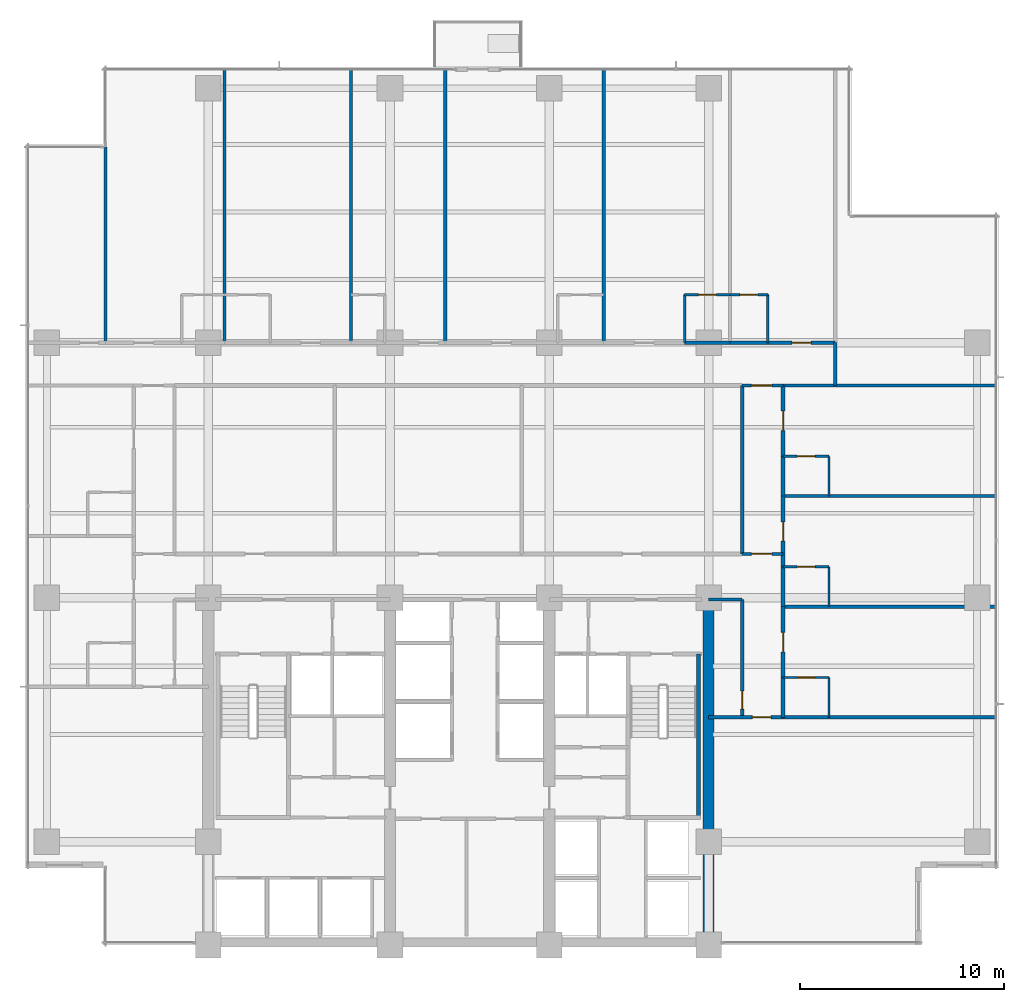
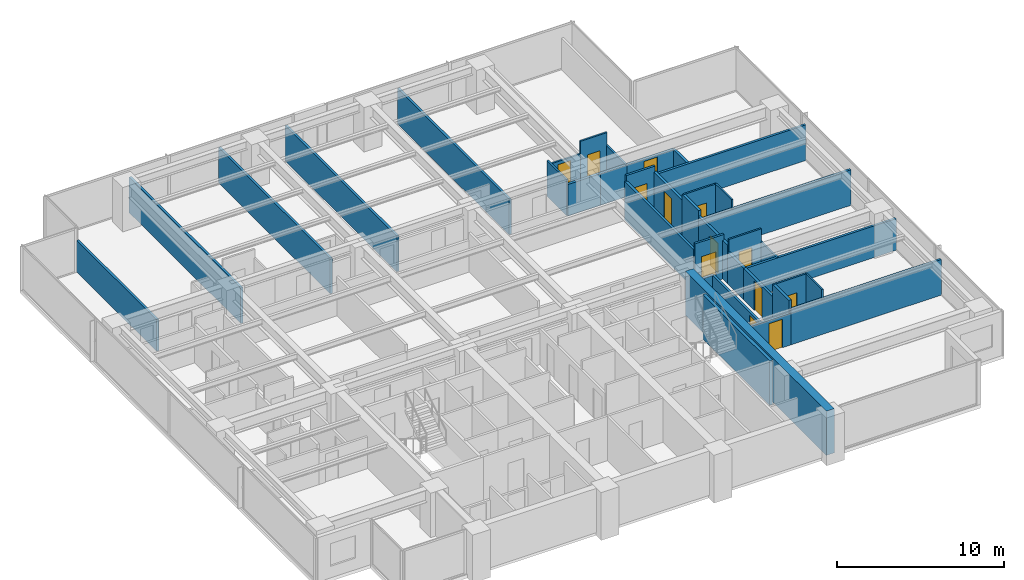
# One storey, part 11 of 17: 37 walls, 13 doors, 13 openings.
"""IFC4 building model written with IfcOpenShell, lengths in metres."""

from ifc_helpers import new_model, si_unit, direction, frame, frame_2d, origin, place, context, subcontext, project, spatial, rectangle, extrude, material, layer, layer_set, type_object, element, fill, save


model = new_model("IFC4")

# Units and contexts
model_context = context("Model", 3, precision=1e-05, world=origin(), true_north=direction((0.0, 1.0)))
body_context = subcontext(model_context, "Body", "Model", "MODEL_VIEW")
ifc_project = project(units=[si_unit("LENGTHUNIT", "METRE"), si_unit("AREAUNIT", "SQUARE_METRE"), si_unit("VOLUMEUNIT", "CUBIC_METRE"), si_unit("PLANEANGLEUNIT", "RADIAN"), si_unit("MASSUNIT", "GRAM", prefix="KILO")], contexts=[model_context])

# Site, building, storey
site_placement = place(None, origin())
site = spatial("IfcSite", under=ifc_project, at=site_placement, CompositionType="ELEMENT")
building_placement = place(site_placement, origin())
building = spatial("IfcBuilding", under=site, at=building_placement, Name="Qalmaran Belvedere Hotel", CompositionType="ELEMENT")
storey_placement = place(building_placement, frame((0.0, 0.0, 109.199951171875)))
storey = spatial("IfcBuildingStorey", under=building, at=storey_placement, Name="L27", CompositionType="ELEMENT", Elevation=109.199951171875)

# Wall
ifc_material_1 = material(Name="Concrete C60/75", Category="concrete")
ifc_layer_1 = layer(ifc_material_1, 0.550048828125, Name="Concrete C60/75")
ifc_layer_set_1 = layer_set([ifc_layer_1], Name="Concrete C60/75")
wall_type_1 = type_object("IfcWallType", Name="WL-CORE-550-C60", PredefinedType="SHEAR", material=ifc_layer_set_1)
wall_1_placement = place(storey_placement, frame((44.800048828125, 3.5, 0.0), z_axis=(0.0, 0.0, 1.0), x_axis=(0.0, 1.0, 0.0)))
element("IfcWall", 1, at=wall_1_placement, inside=storey, type_object=wall_type_1, Name="L27 East Core Shear Wall", PredefinedType="SHEAR", context=body_context, shape_type="SweptSolid", body=[
    extrude(rectangle(XDim=16.89990234375, YDim=0.550048828125, at=frame_2d((8.449951171875, 0.0))), origin(), (0.0, 0.0, 1.0), 3.239990234375),
])

# Wall, opening, door
ifc_material_2 = material(Name="Moisture-Resistant Gypsum")
ifc_layer_2 = layer(ifc_material_2, 0.1201171875, Name="Moisture-Resistant Gypsum")
ifc_layer_set_2 = layer_set([ifc_layer_2], Name="Moisture-Resistant Gypsum")
wall_type_2 = type_object("IfcWallType", Name="WL-INT-120-BATH", PredefinedType="PARTITIONING", material=ifc_layer_set_2)
wall_2_placement = place(storey_placement, frame((43.62451171875, 35.35009765625, 0.0), z_axis=(0.0, 0.0, 1.0), x_axis=(1.0, 0.0, 0.0)))
wall_2 = element("IfcWall", 2, at=wall_2_placement, inside=storey, type_object=wall_type_2, Name="L27 Partition WL-L27-NBN04", PredefinedType="PARTITIONING", context=body_context, shape_type="SweptSolid", body=[
    extrude(rectangle(XDim=2.22998046875, YDim=0.1201171875, at=frame_2d((1.114990234375, 0.0))), origin(), (0.0, 0.0, 1.0), 2.31298828125),
])
opening_1_placement = place(wall_2_placement, frame((1.554931640625, 0.0, 0.0), z_axis=(0.0, 0.0, 1.0), x_axis=(-1.0, 0.0, 0.0)))
opening_1 = element("IfcOpeningElement", 3, at=opening_1_placement, cuts=wall_2, Name="Opening D-BATH", PredefinedType="OPENING", context=body_context, shape_type="SweptSolid", body=[
    extrude(rectangle(XDim=0.8798828125, YDim=2.080078125, at=frame_2d((0.43994140625, 1.0400390625))), frame((0.0, 0.070068359375, 0.0), z_axis=(0.0, -1.0, 0.0), x_axis=(1.0, 0.0, 0.0)), (0.0, 0.0, 1.0), 0.14013671875),
])
ifc_material_3 = material(Name="Engineered Oak Veneer")
door_type_1 = type_object("IfcDoorType", Name="DR-INT-BATH-880X2080", OperationType="NOTDEFINED", PredefinedType="DOOR", material=ifc_material_3)
door_1_placement = place(opening_1_placement, origin())
door_1 = element("IfcDoor", 4, at=door_1_placement, inside=storey, type_object=door_type_1, Name="L27 Ensuite Bathroom Door N05", OperationType="SINGLE_SWING_LEFT", OverallHeight=2.080078125, OverallWidth=0.8798828125, PredefinedType="DOOR", context=body_context, shape_type="SweptSolid", body=[
    extrude(rectangle(XDim=0.8798828125, YDim=2.080078125, at=frame_2d((0.43994140625, 1.0400390625))), frame((0.0, 0.02490234375, 0.0), z_axis=(0.0, -1.0, 0.0), x_axis=(1.0, 0.0, 0.0)), (0.0, 0.0, 1.0), 0.050048828125),
])
fill(opening_1, door_1)

# Wall
wall_3_placement = place(storey_placement, frame((43.62451171875, 33.0, 0.0), z_axis=(0.0, 0.0, 1.0), x_axis=(0.0, 1.0, 0.0)))
element("IfcWall", 5, at=wall_3_placement, inside=storey, type_object=wall_type_2, Name="L27 Partition WL-L27-NBS04", PredefinedType="PARTITIONING", context=body_context, shape_type="SweptSolid", body=[
    extrude(rectangle(XDim=2.35009765625, YDim=0.1201171875, at=frame_2d((1.175048828125, 0.0))), origin(), (0.0, 0.0, 1.0), 2.614013671875),
])

# Wall, opening, door
wall_4_placement = place(storey_placement, frame((45.8544921875, 35.35009765625, 0.0), z_axis=(0.0, 0.0, 1.0), x_axis=(1.0, 0.0, 0.0)))
wall_4 = element("IfcWall", 6, at=wall_4_placement, inside=storey, type_object=wall_type_2, Name="L27 Partition WL-L27-NBN05", PredefinedType="PARTITIONING", context=body_context, shape_type="SweptSolid", body=[
    extrude(rectangle(XDim=1.849853515625, YDim=0.1201171875, at=frame_2d((0.9248046875, 0.0))), origin(), (0.0, 0.0, 1.0), 3.239990234375),
])
opening_2_placement = place(wall_4_placement, frame((1.364990234375, 0.0, 0.0), z_axis=(0.0, 0.0, 1.0), x_axis=(-1.0, 0.0, 0.0)))
opening_2 = element("IfcOpeningElement", 7, at=opening_2_placement, cuts=wall_4, Name="Opening D-BATH", PredefinedType="OPENING", context=body_context, shape_type="SweptSolid", body=[
    extrude(rectangle(XDim=0.8798828125, YDim=2.080078125, at=frame_2d((0.43994140625, 1.0400390625))), frame((0.0, 0.070068359375, 0.0), z_axis=(0.0, -1.0, 0.0), x_axis=(1.0, 0.0, 0.0)), (0.0, 0.0, 1.0), 0.14013671875),
])
door_2_placement = place(opening_2_placement, origin())
door_2 = element("IfcDoor", 8, at=door_2_placement, inside=storey, type_object=door_type_1, Name="L27 Ensuite Bathroom Door N06", OperationType="SINGLE_SWING_LEFT", OverallHeight=2.080078125, OverallWidth=0.8798828125, PredefinedType="DOOR", context=body_context, shape_type="SweptSolid", body=[
    extrude(rectangle(XDim=0.8798828125, YDim=2.080078125, at=frame_2d((0.43994140625, 1.0400390625))), frame((0.0, 0.02490234375, 0.0), z_axis=(0.0, -1.0, 0.0), x_axis=(1.0, 0.0, 0.0)), (0.0, 0.0, 1.0), 0.050048828125),
])
fill(opening_2, door_2)

# Wall
wall_5_placement = place(storey_placement, frame((47.704345703125, 33.0, 0.0), z_axis=(0.0, 0.0, 1.0), x_axis=(0.0, 1.0, 0.0)))
element("IfcWall", 9, at=wall_5_placement, inside=storey, type_object=wall_type_2, Name="L27 Partition WL-L27-NBS05", PredefinedType="PARTITIONING", context=body_context, shape_type="SweptSolid", body=[
    extrude(rectangle(XDim=2.35009765625, YDim=0.1201171875, at=frame_2d((1.175048828125, 0.0))), origin(), (0.0, 0.0, 1.0), 2.31298828125),
])

# Wall, opening, door
wall_6_placement = place(storey_placement, frame((48.449951171875, 16.60009765625, 0.0), z_axis=(0.0, 0.0, 1.0), x_axis=(1.0, 0.0, 0.0)))
wall_6 = element("IfcWall", 10, at=wall_6_placement, inside=storey, type_object=wall_type_2, Name="L27 Partition WL-L27-EBN00", PredefinedType="PARTITIONING", context=body_context, shape_type="SweptSolid", body=[
    extrude(rectangle(XDim=2.25, YDim=0.1201171875, at=frame_2d((1.125, 0.0))), origin(), (0.0, 0.0, 1.0), 3.239990234375),
])
opening_3_placement = place(wall_6_placement, frame((1.56494140625, 0.0, 0.0), z_axis=(0.0, 0.0, 1.0), x_axis=(-1.0, 0.0, 0.0)))
opening_3 = element("IfcOpeningElement", 11, at=opening_3_placement, cuts=wall_6, Name="Opening D-BATH", PredefinedType="OPENING", context=body_context, shape_type="SweptSolid", body=[
    extrude(rectangle(XDim=0.8798828125, YDim=2.080078125, at=frame_2d((0.43994140625, 1.0400390625))), frame((0.0, 0.070068359375, 0.0), z_axis=(0.0, -1.0, 0.0), x_axis=(1.0, 0.0, 0.0)), (0.0, 0.0, 1.0), 0.14013671875),
])
door_3_placement = place(opening_3_placement, origin())
door_3 = element("IfcDoor", 12, at=door_3_placement, inside=storey, type_object=door_type_1, Name="L27 E Ensuite Door 01", OperationType="SINGLE_SWING_LEFT", OverallHeight=2.080078125, OverallWidth=0.8798828125, PredefinedType="DOOR", context=body_context, shape_type="SweptSolid", body=[
    extrude(rectangle(XDim=0.8798828125, YDim=2.080078125, at=frame_2d((0.43994140625, 1.0400390625))), frame((0.0, 0.02490234375, 0.0), z_axis=(0.0, -1.0, 0.0), x_axis=(1.0, 0.0, 0.0)), (0.0, 0.0, 1.0), 0.050048828125),
])
fill(opening_3, door_3)

# Wall
wall_7_placement = place(storey_placement, frame((50.699951171875, 14.64990234375, 0.0), z_axis=(0.0, 0.0, 1.0), x_axis=(0.0, 1.0, 0.0)))
element("IfcWall", 13, at=wall_7_placement, inside=storey, type_object=wall_type_2, Name="L27 Partition WL-L27-EBS00", PredefinedType="PARTITIONING", context=body_context, shape_type="SweptSolid", body=[
    extrude(rectangle(XDim=1.9501953125, YDim=0.1201171875, at=frame_2d((0.97509765625, 0.0))), origin(), (0.0, 0.0, 1.0), 3.239990234375),
])

# Wall, opening, door
wall_8_placement = place(storey_placement, frame((48.449951171875, 22.0166015625, 0.0), z_axis=(0.0, 0.0, 1.0), x_axis=(1.0, 0.0, 0.0)))
wall_8 = element("IfcWall", 14, at=wall_8_placement, inside=storey, type_object=wall_type_2, Name="L27 Partition WL-L27-EBN01", PredefinedType="PARTITIONING", context=body_context, shape_type="SweptSolid", body=[
    extrude(rectangle(XDim=2.25, YDim=0.1201171875, at=frame_2d((1.125, 0.0))), origin(), (0.0, 0.0, 1.0), 3.239990234375),
])
opening_4_placement = place(wall_8_placement, frame((1.56494140625, 0.0, 0.0), z_axis=(0.0, 0.0, 1.0), x_axis=(-1.0, 0.0, 0.0)))
opening_4 = element("IfcOpeningElement", 15, at=opening_4_placement, cuts=wall_8, Name="Opening D-BATH", PredefinedType="OPENING", context=body_context, shape_type="SweptSolid", body=[
    extrude(rectangle(XDim=0.8798828125, YDim=2.080078125, at=frame_2d((0.43994140625, 1.0400390625))), frame((0.0, 0.070068359375, 0.0), z_axis=(0.0, -1.0, 0.0), x_axis=(1.0, 0.0, 0.0)), (0.0, 0.0, 1.0), 0.14013671875),
])
door_4_placement = place(opening_4_placement, origin())
door_4 = element("IfcDoor", 16, at=door_4_placement, inside=storey, type_object=door_type_1, Name="L27 E Ensuite Door 02", OperationType="SINGLE_SWING_LEFT", OverallHeight=2.080078125, OverallWidth=0.8798828125, PredefinedType="DOOR", context=body_context, shape_type="SweptSolid", body=[
    extrude(rectangle(XDim=0.8798828125, YDim=2.080078125, at=frame_2d((0.43994140625, 1.0400390625))), frame((0.0, 0.02490234375, 0.0), z_axis=(0.0, -1.0, 0.0), x_axis=(1.0, 0.0, 0.0)), (0.0, 0.0, 1.0), 0.050048828125),
])
fill(opening_4, door_4)

# Wall
wall_9_placement = place(storey_placement, frame((50.699951171875, 20.066650390625, 0.0), z_axis=(0.0, 0.0, 1.0), x_axis=(0.0, 1.0, 0.0)))
element("IfcWall", 17, at=wall_9_placement, inside=storey, type_object=wall_type_2, Name="L27 Partition WL-L27-EBS01", PredefinedType="PARTITIONING", context=body_context, shape_type="SweptSolid", body=[
    extrude(rectangle(XDim=1.949951171875, YDim=0.1201171875, at=frame_2d((0.97509765625, 0.0))), origin(), (0.0, 0.0, 1.0), 2.31298828125),
])

# Wall, opening, door
wall_10_placement = place(storey_placement, frame((48.449951171875, 27.433349609375, 0.0), z_axis=(0.0, 0.0, 1.0), x_axis=(1.0, 0.0, 0.0)))
wall_10 = element("IfcWall", 18, at=wall_10_placement, inside=storey, type_object=wall_type_2, Name="L27 Partition WL-L27-EBN02", PredefinedType="PARTITIONING", context=body_context, shape_type="SweptSolid", body=[
    extrude(rectangle(XDim=2.25, YDim=0.1201171875, at=frame_2d((1.125, 0.0))), origin(), (0.0, 0.0, 1.0), 3.239990234375),
])
opening_5_placement = place(wall_10_placement, frame((1.56494140625, 0.0, 0.0), z_axis=(0.0, 0.0, 1.0), x_axis=(-1.0, 0.0, 0.0)))
opening_5 = element("IfcOpeningElement", 19, at=opening_5_placement, cuts=wall_10, Name="Opening D-BATH", PredefinedType="OPENING", context=body_context, shape_type="SweptSolid", body=[
    extrude(rectangle(XDim=0.8798828125, YDim=2.080078125, at=frame_2d((0.43994140625, 1.0400390625))), frame((0.0, 0.070068359375, 0.0), z_axis=(0.0, -1.0, 0.0), x_axis=(1.0, 0.0, 0.0)), (0.0, 0.0, 1.0), 0.14013671875),
])
door_5_placement = place(opening_5_placement, origin())
door_5 = element("IfcDoor", 20, at=door_5_placement, inside=storey, type_object=door_type_1, Name="L27 E Ensuite Door 03", OperationType="SINGLE_SWING_LEFT", OverallHeight=2.080078125, OverallWidth=0.8798828125, PredefinedType="DOOR", context=body_context, shape_type="SweptSolid", body=[
    extrude(rectangle(XDim=0.8798828125, YDim=2.080078125, at=frame_2d((0.43994140625, 1.0400390625))), frame((0.0, 0.02490234375, 0.0), z_axis=(0.0, -1.0, 0.0), x_axis=(1.0, 0.0, 0.0)), (0.0, 0.0, 1.0), 0.050048828125),
])
fill(opening_5, door_5)

# Wall
wall_11_placement = place(storey_placement, frame((50.699951171875, 25.4833984375, 0.0), z_axis=(0.0, 0.0, 1.0), x_axis=(0.0, 1.0, 0.0)))
element("IfcWall", 21, at=wall_11_placement, inside=storey, type_object=wall_type_2, Name="L27 Partition WL-L27-EBS02", PredefinedType="PARTITIONING", context=body_context, shape_type="SweptSolid", body=[
    extrude(rectangle(XDim=1.949951171875, YDim=0.1201171875, at=frame_2d((0.97509765625, 0.0))), origin(), (0.0, 0.0, 1.0), 3.239990234375),
])

# Wall, opening, door
ifc_material_4 = material(Name="Gypsum Stud Partition")
ifc_layer_3 = layer(ifc_material_4, 0.14990234375, Name="Gypsum Stud Partition")
ifc_layer_set_3 = layer_set([ifc_layer_3], Name="Gypsum Stud Partition")
wall_type_3 = type_object("IfcWallType", Name="WL-INT-150-EI60", PredefinedType="PARTITIONING", material=ifc_layer_set_3)
wall_12_placement = place(storey_placement, frame((46.449951171875, 22.64990234375, 0.0), z_axis=(0.0, 0.0, 1.0), x_axis=(1.0, 0.0, 0.0)))
wall_12 = element("IfcWall", 22, at=wall_12_placement, inside=storey, type_object=wall_type_3, Name="L27 Partition WL-L27-XCE1", PredefinedType="PARTITIONING", context=body_context, shape_type="SweptSolid", body=[
    extrude(rectangle(XDim=2.0, YDim=0.14990234375, at=frame_2d((1.0, 0.0))), origin(), (0.0, 0.0, 1.0), 3.239990234375),
])
opening_6_placement = place(wall_12_placement, frame((0.449951171875, 0.0, 0.0)))
opening_6 = element("IfcOpeningElement", 23, at=opening_6_placement, cuts=wall_12, Name="Opening FD90B", PredefinedType="OPENING", context=body_context, shape_type="SweptSolid", body=[
    extrude(rectangle(XDim=1.0, YDim=2.14990234375, at=frame_2d((0.5, 1.074951171875))), frame((0.0, 0.0849609375, 0.0), z_axis=(0.0, -1.0, 0.0), x_axis=(1.0, 0.0, 0.0)), (0.0, 0.0, 1.0), 0.169921875),
])
ifc_material_5 = material(Name="Steel S355JR", Category="steel")
door_type_2 = type_object("IfcDoorType", Name="DR-FD90B-1000X2150", OperationType="NOTDEFINED", PredefinedType="DOOR", material=ifc_material_5)
door_6_placement = place(opening_6_placement, origin())
door_6 = element("IfcDoor", 24, at=door_6_placement, inside=storey, type_object=door_type_2, Name="L27 East Corridor Smoke Door S", OperationType="SINGLE_SWING_RIGHT", OverallHeight=2.14990234375, OverallWidth=1.0, PredefinedType="DOOR", context=body_context, shape_type="SweptSolid", body=[
    extrude(rectangle(XDim=1.0, YDim=2.14990234375, at=frame_2d((0.5, 1.074951171875))), frame((0.0, 0.02490234375, 0.0), z_axis=(0.0, -1.0, 0.0), x_axis=(1.0, 0.0, 0.0)), (0.0, 0.0, 1.0), 0.050048828125),
])
fill(opening_6, door_6)

wall_13_placement = place(storey_placement, frame((46.449951171875, 30.89990234375, 0.0), z_axis=(0.0, 0.0, 1.0), x_axis=(1.0, 0.0, 0.0)))
wall_13 = element("IfcWall", 25, at=wall_13_placement, inside=storey, type_object=wall_type_3, Name="L27 Partition WL-L27-XCE2", PredefinedType="PARTITIONING", context=body_context, shape_type="SweptSolid", body=[
    extrude(rectangle(XDim=2.0, YDim=0.14990234375, at=frame_2d((1.0, 0.0))), origin(), (0.0, 0.0, 1.0), 3.239990234375),
])
opening_7_placement = place(wall_13_placement, frame((0.449951171875, 0.0, 0.0)))
opening_7 = element("IfcOpeningElement", 26, at=opening_7_placement, cuts=wall_13, Name="Opening FD90B", PredefinedType="OPENING", context=body_context, shape_type="SweptSolid", body=[
    extrude(rectangle(XDim=1.0, YDim=2.14990234375, at=frame_2d((0.5, 1.074951171875))), frame((0.0, 0.0849609375, 0.0), z_axis=(0.0, -1.0, 0.0), x_axis=(1.0, 0.0, 0.0)), (0.0, 0.0, 1.0), 0.169921875),
])
door_7_placement = place(opening_7_placement, origin())
door_7 = element("IfcDoor", 27, at=door_7_placement, inside=storey, type_object=door_type_2, Name="L27 East Corridor Smoke Door N", OperationType="SINGLE_SWING_LEFT", OverallHeight=2.14990234375, OverallWidth=1.0, PredefinedType="DOOR", context=body_context, shape_type="SweptSolid", body=[
    extrude(rectangle(XDim=1.0, YDim=2.14990234375, at=frame_2d((0.5, 1.074951171875))), frame((0.0, 0.02490234375, 0.0), z_axis=(0.0, -1.0, 0.0), x_axis=(1.0, 0.0, 0.0)), (0.0, 0.0, 1.0), 0.050048828125),
])
fill(opening_7, door_7)

ifc_layer_4 = layer(ifc_material_4, 0.159912109375, Name="Gypsum Stud Partition")
ifc_layer_set_4 = layer_set([ifc_layer_4], Name="Gypsum Stud Partition")
wall_type_4 = type_object("IfcWallType", Name="WL-INT-160-EI60", PredefinedType="PARTITIONING", material=ifc_layer_set_4)
wall_14_placement = place(storey_placement, frame((44.800048828125, 14.64990234375, 0.0), z_axis=(0.0, 0.0, 1.0), x_axis=(1.0, 0.0, 0.0)))
wall_14 = element("IfcWall", 28, at=wall_14_placement, inside=storey, type_object=wall_type_4, Name="L27 Partition WL-L27-SERL", PredefinedType="PARTITIONING", context=body_context, shape_type="SweptSolid", body=[
    extrude(rectangle(XDim=3.64990234375, YDim=0.159912109375, at=frame_2d((1.824951171875, 0.0))), origin(), (0.0, 0.0, 1.0), 2.31298828125),
])
opening_8_placement = place(wall_14_placement, frame((3.06982421875, 0.0, 0.0), z_axis=(0.0, 0.0, 1.0), x_axis=(-1.0, 0.0, 0.0)))
opening_8 = element("IfcOpeningElement", 29, at=opening_8_placement, cuts=wall_14, Name="Opening FD60S1", PredefinedType="OPENING", context=body_context, shape_type="SweptSolid", body=[
    extrude(rectangle(XDim=0.919921875, YDim=2.080078125, at=frame_2d((0.4599609375, 1.0400390625))), frame((0.0, 0.08984375, 0.0), z_axis=(0.0, -1.0, 0.0), x_axis=(1.0, 0.0, 0.0)), (0.0, 0.0, 1.0), 0.179931640625),
])
door_type_3 = type_object("IfcDoorType", Name="DR-FD60S-920X2080", OperationType="NOTDEFINED", PredefinedType="DOOR", material=ifc_material_3)
door_8_placement = place(opening_8_placement, origin())
door_8 = element("IfcDoor", 30, at=door_8_placement, inside=storey, type_object=door_type_3, Name="L27 SE Lounge Door", OperationType="SINGLE_SWING_LEFT", OverallHeight=2.080078125, OverallWidth=0.919921875, PredefinedType="DOOR", context=body_context, shape_type="SweptSolid", body=[
    extrude(rectangle(XDim=0.919921875, YDim=2.080078125, at=frame_2d((0.4599609375, 1.0400390625))), frame((0.0, 0.02490234375, 0.0), z_axis=(0.0, -1.0, 0.0), x_axis=(1.0, 0.0, 0.0)), (0.0, 0.0, 1.0), 0.050048828125),
])
fill(opening_8, door_8)

wall_15_placement = place(storey_placement, frame((46.449951171875, 14.64990234375, 0.0), z_axis=(0.0, 0.0, 1.0), x_axis=(0.0, 1.0, 0.0)))
wall_15 = element("IfcWall", 31, at=wall_15_placement, inside=storey, type_object=wall_type_4, Name="L27 Partition WL-L27-ECL", PredefinedType="PARTITIONING", context=body_context, shape_type="SweptSolid", body=[
    extrude(rectangle(XDim=5.77001953125, YDim=0.159912109375, at=frame_2d((2.885009765625, 0.0))), origin(), (0.0, 0.0, 1.0), 2.31298828125),
])
opening_9_placement = place(wall_15_placement, frame((0.39990234375, 0.0, 0.0)))
opening_9 = element("IfcOpeningElement", 32, at=opening_9_placement, cuts=wall_15, Name="Opening FD60B", PredefinedType="OPENING", context=body_context, shape_type="SweptSolid", body=[
    extrude(rectangle(XDim=0.8798828125, YDim=2.080078125, at=frame_2d((0.43994140625, 1.0400390625))), frame((0.0, 0.08984375, 0.0), z_axis=(0.0, -1.0, 0.0), x_axis=(1.0, 0.0, 0.0)), (0.0, 0.0, 1.0), 0.179931640625),
])
door_type_4 = type_object("IfcDoorType", Name="DR-FD60B-880X2080", OperationType="NOTDEFINED", PredefinedType="DOOR", material=ifc_material_5)
door_9_placement = place(opening_9_placement, origin())
door_9 = element("IfcDoor", 33, at=door_9_placement, inside=storey, type_object=door_type_4, Name="L27 East Closet Door", OperationType="SINGLE_SWING_LEFT", OverallHeight=2.080078125, OverallWidth=0.8798828125, PredefinedType="DOOR", context=body_context, shape_type="SweptSolid", body=[
    extrude(rectangle(XDim=0.8798828125, YDim=2.080078125, at=frame_2d((0.43994140625, 1.0400390625))), frame((0.0, 0.02490234375, 0.0), z_axis=(0.0, -1.0, 0.0), x_axis=(1.0, 0.0, 0.0)), (0.0, 0.0, 1.0), 0.050048828125),
])
fill(opening_9, door_9)

# Walls
wall_16_placement = place(storey_placement, frame((44.800048828125, 20.419921875, 0.0), z_axis=(0.0, 0.0, 1.0), x_axis=(1.0, 0.0, 0.0)))
element("IfcWall", 34, at=wall_16_placement, inside=storey, type_object=wall_type_4, Name="L27 Partition WL-L27-ECLN", PredefinedType="PARTITIONING", context=body_context, shape_type="SweptSolid", body=[
    extrude(rectangle(XDim=1.64990234375, YDim=0.159912109375, at=frame_2d((0.824951171875, 0.0))), origin(), (0.0, 0.0, 1.0), 2.31298828125),
])
wall_17_placement = place(storey_placement, frame((51.0, 30.89990234375, 0.0), z_axis=(0.0, 0.0, 1.0), x_axis=(0.0, 1.0, 0.0)))
element("IfcWall", 35, at=wall_17_placement, inside=storey, type_object=wall_type_4, Name="L27 Partition WL-L27-NCGE", PredefinedType="PARTITIONING", context=body_context, shape_type="SweptSolid", body=[
    extrude(rectangle(XDim=2.10009765625, YDim=0.159912109375, at=frame_2d((1.050048828125, 0.0))), origin(), (0.0, 0.0, 1.0), 2.31298828125),
])
wall_18_placement = place(storey_placement, frame((46.449951171875, 22.64990234375, 0.0), z_axis=(0.0, 0.0, 1.0), x_axis=(0.0, 1.0, 0.0)))
element("IfcWall", 36, at=wall_18_placement, inside=storey, type_object=wall_type_4, Name="L27 Partition WL-L27-MIDVR3", PredefinedType="PARTITIONING", context=body_context, shape_type="SweptSolid", body=[
    extrude(rectangle(XDim=8.25, YDim=0.159912109375, at=frame_2d((4.125, 0.0))), origin(), (0.0, 0.0, 1.0), 2.818115234375),
])
wall_19_placement = place(storey_placement, frame((15.27001953125, 33.0, 0.0), z_axis=(0.0, 0.0, 1.0), x_axis=(0.0, 1.0, 0.0)))
element("IfcWall", 37, at=wall_19_placement, inside=storey, type_object=wall_type_4, Name="L27 Partition WL-L27-NUL", PredefinedType="PARTITIONING", context=body_context, shape_type="SweptSolid", body=[
    extrude(rectangle(XDim=9.580078125, YDim=0.159912109375, at=frame_2d((4.7900390625, 0.0))), origin(), (0.0, 0.0, 1.0), 2.31298828125),
])
for number, where, z_axis, x_axis, name in (
    (38, (21.095703125, 33.0, 0.0), (0.0, 0.0, 1.0), (0.0, 1.0, 0.0), "L27 Partition WL-L27-NUR00"),
    (39, (27.285400390625, 33.0, 0.0), (0.0, 0.0, 1.0), (0.0, 1.0, 0.0), "L27 Partition WL-L27-NUR01"),
    (40, (31.89990234375, 33.0, 0.0), (0.0, 0.0, 1.0), (0.0, 1.0, 0.0), "L27 Partition WL-L27-NUR02"),
    (41, (39.664794921875, 33.0, 0.0), (0.0, 0.0, 1.0), (0.0, 1.0, 0.0), "L27 Partition WL-L27-NUR03"),
):
    element("IfcWall", number, at=place(storey_placement, frame(where, z_axis=z_axis, x_axis=x_axis)), inside=storey, type_object=wall_type_4, Name=name, PredefinedType="PARTITIONING", context=body_context, shape_type="SweptSolid", body=[
        extrude(rectangle(XDim=13.3798828125, YDim=0.159912109375, at=frame_2d((6.68994140625, 0.0))), origin(), (0.0, 0.0, 1.0), 2.60302734375),
    ])
wall_20_placement = place(storey_placement, frame((48.449951171875, 14.64990234375, 0.0), z_axis=(0.0, 0.0, 1.0), x_axis=(1.0, 0.0, 0.0)))
element("IfcWall", 42, at=wall_20_placement, inside=storey, type_object=wall_type_4, Name="L27 Partition WL-L27-EBOT", PredefinedType="PARTITIONING", context=body_context, shape_type="SweptSolid", body=[
    extrude(rectangle(XDim=10.429931640625, YDim=0.159912109375, at=frame_2d((5.21484375, 0.0))), origin(), (0.0, 0.0, 1.0), 2.60302734375),
])
wall_21_placement = place(storey_placement, frame((48.449951171875, 20.066650390625, 0.0), z_axis=(0.0, 0.0, 1.0), x_axis=(1.0, 0.0, 0.0)))
element("IfcWall", 43, at=wall_21_placement, inside=storey, type_object=wall_type_4, Name="L27 Partition WL-L27-EU00", PredefinedType="PARTITIONING", context=body_context, shape_type="SweptSolid", body=[
    extrude(rectangle(XDim=10.429931640625, YDim=0.159912109375, at=frame_2d((5.21484375, 0.0))), origin(), (0.0, 0.0, 1.0), 2.31298828125),
])
for number, where, z_axis, x_axis, name in (
    (44, (48.449951171875, 25.4833984375, 0.0), (0.0, 0.0, 1.0), (1.0, 0.0, 0.0), "L27 Partition WL-L27-EU01"),
    (45, (48.449951171875, 30.89990234375, 0.0), (0.0, 0.0, 1.0), (1.0, 0.0, 0.0), "L27 Partition WL-L27-EU02"),
):
    element("IfcWall", number, at=place(storey_placement, frame(where, z_axis=z_axis, x_axis=x_axis)), inside=storey, type_object=wall_type_4, Name=name, PredefinedType="PARTITIONING", context=body_context, shape_type="SweptSolid", body=[
        extrude(rectangle(XDim=10.429931640625, YDim=0.159912109375, at=frame_2d((5.21484375, 0.0))), origin(), (0.0, 0.0, 1.0), 2.60302734375),
    ])
ifc_layer_5 = layer(ifc_material_4, 0.179931640625, Name="Gypsum Stud Partition")
ifc_layer_set_5 = layer_set([ifc_layer_5], Name="Gypsum Stud Partition")
wall_type_5 = type_object("IfcWallType", Name="WL-INT-180-EI60", PredefinedType="PARTITIONING", material=ifc_layer_set_5)
wall_22_placement = place(storey_placement, frame((43.62451171875, 33.0, 0.0), z_axis=(0.0, 0.0, 1.0), x_axis=(1.0, 0.0, 0.0)))
element("IfcWall", 46, at=wall_22_placement, inside=storey, type_object=wall_type_5, Name="L27 Partition WL-L27-NBC04", PredefinedType="PARTITIONING", context=body_context, shape_type="SweptSolid", body=[
    extrude(rectangle(XDim=2.22998046875, YDim=0.179931640625, at=frame_2d((1.114990234375, 0.0))), origin(), (0.0, 0.0, 1.0), 2.31298828125),
])
wall_23_placement = place(storey_placement, frame((45.8544921875, 33.0, 0.0), z_axis=(0.0, 0.0, 1.0), x_axis=(1.0, 0.0, 0.0)))
element("IfcWall", 47, at=wall_23_placement, inside=storey, type_object=wall_type_5, Name="L27 Partition WL-L27-NBC05", PredefinedType="PARTITIONING", context=body_context, shape_type="SweptSolid", body=[
    extrude(rectangle(XDim=1.849853515625, YDim=0.179931640625, at=frame_2d((0.9248046875, 0.0))), origin(), (0.0, 0.0, 1.0), 2.31298828125),
])

# Wall, opening, door
wall_24_placement = place(storey_placement, frame((47.704345703125, 33.0, 0.0), z_axis=(0.0, 0.0, 1.0), x_axis=(1.0, 0.0, 0.0)))
wall_24 = element("IfcWall", 48, at=wall_24_placement, inside=storey, type_object=wall_type_5, Name="L27 Partition WL-L27-NEC05", PredefinedType="PARTITIONING", context=body_context, shape_type="SweptSolid", body=[
    extrude(rectangle(XDim=3.295654296875, YDim=0.179931640625, at=frame_2d((1.64794921875, 0.0))), origin(), (0.0, 0.0, 1.0), 2.31298828125),
])
opening_10_placement = place(wall_24_placement, frame((1.1728515625, 0.0, 0.0)))
opening_10 = element("IfcOpeningElement", 49, at=opening_10_placement, cuts=wall_24, Name="Opening FD60", PredefinedType="OPENING", context=body_context, shape_type="SweptSolid", body=[
    extrude(rectangle(XDim=0.949951171875, YDim=2.14990234375, at=frame_2d((0.47509765625, 1.074951171875))), frame((0.0, 0.10009765625, 0.0), z_axis=(0.0, -1.0, 0.0), x_axis=(1.0, 0.0, 0.0)), (0.0, 0.0, 1.0), 0.199951171875),
])
door_type_5 = type_object("IfcDoorType", Name="DR-FD60-950X2150", OperationType="NOTDEFINED", PredefinedType="DOOR", material=ifc_material_3)
door_10_placement = place(opening_10_placement, origin())
door_10 = element("IfcDoor", 50, at=door_10_placement, inside=storey, type_object=door_type_5, Name="L27 Guest Entrance Door N06", OperationType="SINGLE_SWING_RIGHT", OverallHeight=2.14990234375, OverallWidth=0.949951171875, PredefinedType="DOOR", context=body_context, shape_type="SweptSolid", body=[
    extrude(rectangle(XDim=0.949951171875, YDim=2.14990234375, at=frame_2d((0.47509765625, 1.074951171875))), frame((0.0, 0.02490234375, 0.0), z_axis=(0.0, -1.0, 0.0), x_axis=(1.0, 0.0, 0.0)), (0.0, 0.0, 1.0), 0.050048828125),
])
fill(opening_10, door_10)

# Wall
wall_25_placement = place(storey_placement, frame((48.449951171875, 14.64990234375, 0.0), z_axis=(0.0, 0.0, 1.0), x_axis=(0.0, 1.0, 0.0)))
element("IfcWall", 51, at=wall_25_placement, inside=storey, type_object=wall_type_5, Name="L27 Partition WL-L27-EBC00", PredefinedType="PARTITIONING", context=body_context, shape_type="SweptSolid", body=[
    extrude(rectangle(XDim=1.9501953125, YDim=0.179931640625, at=frame_2d((0.97509765625, 0.0))), origin(), (0.0, 0.0, 1.0), 3.239990234375),
])

# Wall, opening, door
wall_26_placement = place(storey_placement, frame((48.449951171875, 16.60009765625, 0.0), z_axis=(0.0, 0.0, 1.0), x_axis=(0.0, 1.0, 0.0)))
wall_26 = element("IfcWall", 52, at=wall_26_placement, inside=storey, type_object=wall_type_5, Name="L27 Partition WL-L27-EEC00", PredefinedType="PARTITIONING", context=body_context, shape_type="SweptSolid", body=[
    extrude(rectangle(XDim=3.466552734375, YDim=0.179931640625, at=frame_2d((1.7333984375, 0.0))), origin(), (0.0, 0.0, 1.0), 2.31298828125),
])
opening_11_placement = place(wall_26_placement, frame((2.208251953125, 0.0, 0.0), z_axis=(0.0, 0.0, 1.0), x_axis=(-1.0, 0.0, 0.0)))
opening_11 = element("IfcOpeningElement", 53, at=opening_11_placement, cuts=wall_26, Name="Opening FD60", PredefinedType="OPENING", context=body_context, shape_type="SweptSolid", body=[
    extrude(rectangle(XDim=0.949951171875, YDim=2.14990234375, at=frame_2d((0.47509765625, 1.074951171875))), frame((0.0, 0.10009765625, 0.0), z_axis=(0.0, -1.0, 0.0), x_axis=(1.0, 0.0, 0.0)), (0.0, 0.0, 1.0), 0.199951171875),
])
door_11_placement = place(opening_11_placement, origin())
door_11 = element("IfcDoor", 54, at=door_11_placement, inside=storey, type_object=door_type_5, Name="L27 E Wing Door 01", OperationType="SINGLE_SWING_RIGHT", OverallHeight=2.14990234375, OverallWidth=0.949951171875, PredefinedType="DOOR", context=body_context, shape_type="SweptSolid", body=[
    extrude(rectangle(XDim=0.949951171875, YDim=2.14990234375, at=frame_2d((0.47509765625, 1.074951171875))), frame((0.0, 0.02490234375, 0.0), z_axis=(0.0, -1.0, 0.0), x_axis=(1.0, 0.0, 0.0)), (0.0, 0.0, 1.0), 0.050048828125),
])
fill(opening_11, door_11)

# Wall
wall_27_placement = place(storey_placement, frame((48.449951171875, 20.066650390625, 0.0), z_axis=(0.0, 0.0, 1.0), x_axis=(0.0, 1.0, 0.0)))
element("IfcWall", 55, at=wall_27_placement, inside=storey, type_object=wall_type_5, Name="L27 Partition WL-L27-EBC01", PredefinedType="PARTITIONING", context=body_context, shape_type="SweptSolid", body=[
    extrude(rectangle(XDim=1.949951171875, YDim=0.179931640625, at=frame_2d((0.97509765625, 0.0))), origin(), (0.0, 0.0, 1.0), 2.31298828125),
])

# Wall, opening, door
wall_28_placement = place(storey_placement, frame((48.449951171875, 22.0166015625, 0.0), z_axis=(0.0, 0.0, 1.0), x_axis=(0.0, 1.0, 0.0)))
wall_28 = element("IfcWall", 56, at=wall_28_placement, inside=storey, type_object=wall_type_5, Name="L27 Partition WL-L27-EEC01", PredefinedType="PARTITIONING", context=body_context, shape_type="SweptSolid", body=[
    extrude(rectangle(XDim=3.466796875, YDim=0.179931640625, at=frame_2d((1.7333984375, 0.0))), origin(), (0.0, 0.0, 1.0), 2.818115234375),
])
opening_12_placement = place(wall_28_placement, frame((2.208251953125, 0.0, 0.0), z_axis=(0.0, 0.0, 1.0), x_axis=(-1.0, 0.0, 0.0)))
opening_12 = element("IfcOpeningElement", 57, at=opening_12_placement, cuts=wall_28, Name="Opening FD60", PredefinedType="OPENING", context=body_context, shape_type="SweptSolid", body=[
    extrude(rectangle(XDim=0.949951171875, YDim=2.14990234375, at=frame_2d((0.47509765625, 1.074951171875))), frame((0.0, 0.10009765625, 0.0), z_axis=(0.0, -1.0, 0.0), x_axis=(1.0, 0.0, 0.0)), (0.0, 0.0, 1.0), 0.199951171875),
])
door_12_placement = place(opening_12_placement, origin())
door_12 = element("IfcDoor", 58, at=door_12_placement, inside=storey, type_object=door_type_5, Name="L27 E Wing Door 02", OperationType="SINGLE_SWING_RIGHT", OverallHeight=2.14990234375, OverallWidth=0.949951171875, PredefinedType="DOOR", context=body_context, shape_type="SweptSolid", body=[
    extrude(rectangle(XDim=0.949951171875, YDim=2.14990234375, at=frame_2d((0.47509765625, 1.074951171875))), frame((0.0, 0.02490234375, 0.0), z_axis=(0.0, -1.0, 0.0), x_axis=(1.0, 0.0, 0.0)), (0.0, 0.0, 1.0), 0.050048828125),
])
fill(opening_12, door_12)

# Wall
wall_29_placement = place(storey_placement, frame((48.449951171875, 25.4833984375, 0.0), z_axis=(0.0, 0.0, 1.0), x_axis=(0.0, 1.0, 0.0)))
element("IfcWall", 59, at=wall_29_placement, inside=storey, type_object=wall_type_5, Name="L27 Partition WL-L27-EBC02", PredefinedType="PARTITIONING", context=body_context, shape_type="SweptSolid", body=[
    extrude(rectangle(XDim=1.949951171875, YDim=0.179931640625, at=frame_2d((0.97509765625, 0.0))), origin(), (0.0, 0.0, 1.0), 3.239990234375),
])

# Wall, opening, door
wall_30_placement = place(storey_placement, frame((48.449951171875, 27.433349609375, 0.0), z_axis=(0.0, 0.0, 1.0), x_axis=(0.0, 1.0, 0.0)))
wall_30 = element("IfcWall", 60, at=wall_30_placement, inside=storey, type_object=wall_type_5, Name="L27 Partition WL-L27-EEC02", PredefinedType="PARTITIONING", context=body_context, shape_type="SweptSolid", body=[
    extrude(rectangle(XDim=3.466552734375, YDim=0.179931640625, at=frame_2d((1.7333984375, 0.0))), origin(), (0.0, 0.0, 1.0), 2.818115234375),
])
opening_13_placement = place(wall_30_placement, frame((2.208251953125, 0.0, 0.0), z_axis=(0.0, 0.0, 1.0), x_axis=(-1.0, 0.0, 0.0)))
opening_13 = element("IfcOpeningElement", 61, at=opening_13_placement, cuts=wall_30, Name="Opening FD60", PredefinedType="OPENING", context=body_context, shape_type="SweptSolid", body=[
    extrude(rectangle(XDim=0.949951171875, YDim=2.14990234375, at=frame_2d((0.47509765625, 1.074951171875))), frame((0.0, 0.10009765625, 0.0), z_axis=(0.0, -1.0, 0.0), x_axis=(1.0, 0.0, 0.0)), (0.0, 0.0, 1.0), 0.199951171875),
])
door_13_placement = place(opening_13_placement, origin())
door_13 = element("IfcDoor", 62, at=door_13_placement, inside=storey, type_object=door_type_5, Name="L27 E Wing Door 03", OperationType="SINGLE_SWING_RIGHT", OverallHeight=2.14990234375, OverallWidth=0.949951171875, PredefinedType="DOOR", context=body_context, shape_type="SweptSolid", body=[
    extrude(rectangle(XDim=0.949951171875, YDim=2.14990234375, at=frame_2d((0.47509765625, 1.074951171875))), frame((0.0, 0.02490234375, 0.0), z_axis=(0.0, -1.0, 0.0), x_axis=(1.0, 0.0, 0.0)), (0.0, 0.0, 1.0), 0.050048828125),
])
fill(opening_13, door_13)

# Wall
ifc_material_6 = material(Name="Concrete C50/60", Category="concrete")
ifc_layer_6 = layer(ifc_material_6, 0.2099609375, Name="Concrete C50/60")
ifc_layer_set_6 = layer_set([ifc_layer_6], Name="Concrete C50/60")
wall_type_6 = type_object("IfcWallType", Name="WL-STAIR-210-C50", PredefinedType="SHEAR", material=ifc_layer_set_6)
wall_31_placement = place(storey_placement, frame((44.304931640625, 9.7451171875, 0.0), z_axis=(0.0, 0.0, 1.0), x_axis=(0.0, 1.0, 0.0)))
element("IfcWall", 63, at=wall_31_placement, inside=storey, type_object=wall_type_6, Name="L27 Stair ST-2 East Bearing Wall", PredefinedType="SHEAR", context=body_context, shape_type="SweptSolid", body=[
    extrude(rectangle(XDim=8.009765625, YDim=0.2099609375, at=frame_2d((4.0048828125, 0.0))), origin(), (0.0, 0.0, 1.0), 3.239990234375),
])

save(model, "model.ifc")
